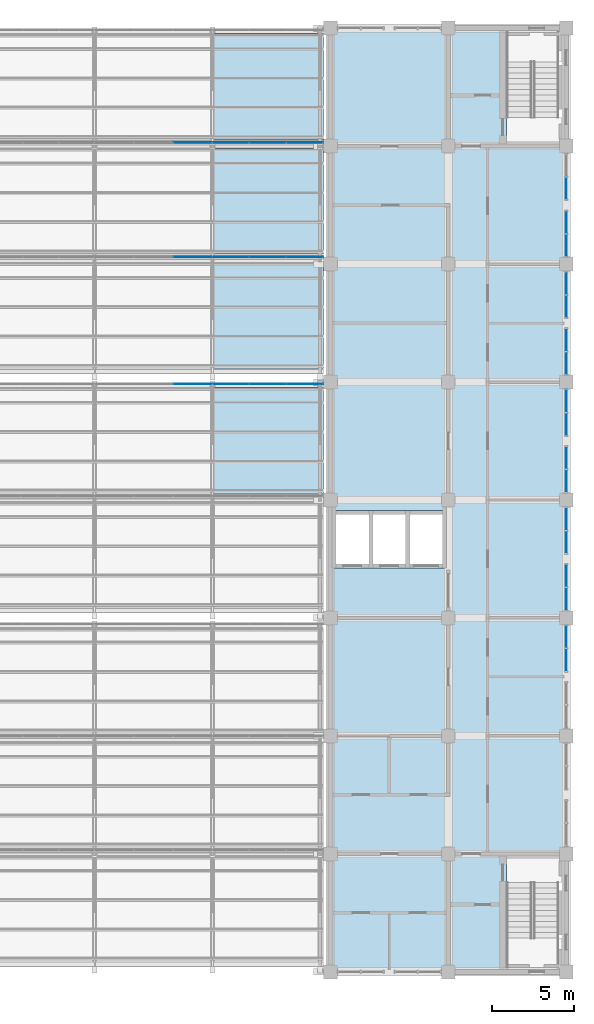
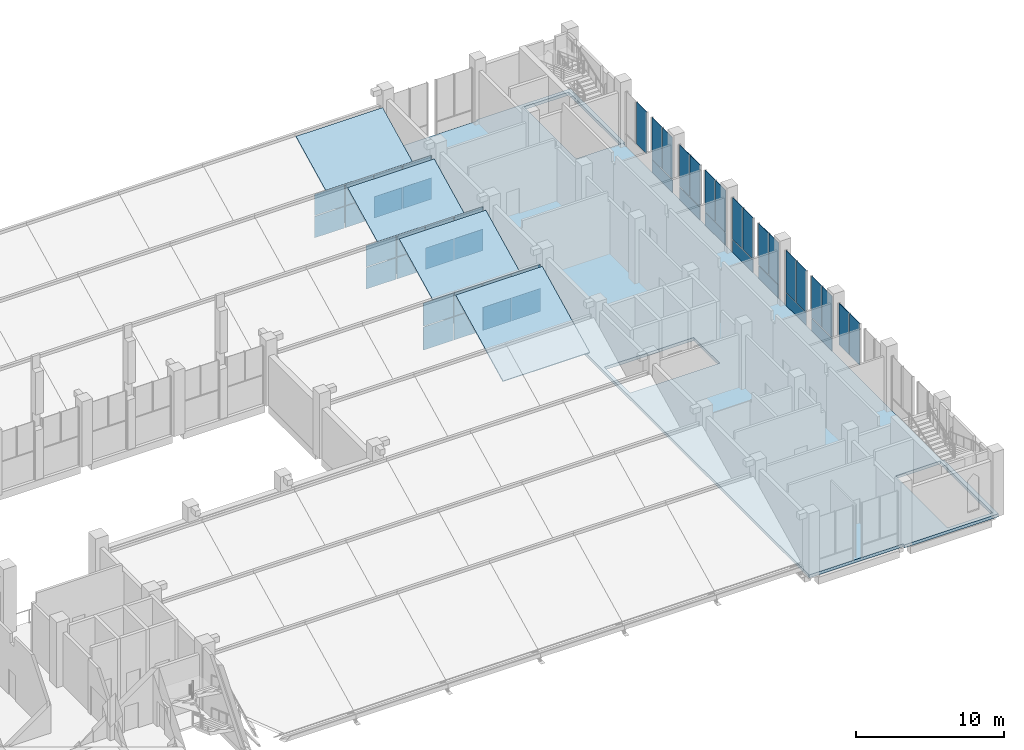
# One storey, part 67 of 83: 48 plates, 5 slabs, 15 elements without a shape of their own.
"""IFC4 building model written with IfcOpenShell, lengths in metres."""

from ifc_helpers import new_model, si_unit, direction, frame, origin, origin_2d, place, context, subcontext, project, spatial, polyline, rectangle, outline, extrude, material, layer, layer_set, type_object, element, aggregate, save


model = new_model("IFC4")

# Units and contexts
model_context = context("Model", 3, precision=1e-05, world=origin(), true_north=direction((0.0, 1.0)))
body_context = subcontext(model_context, "Body", "Model", "MODEL_VIEW")
ifc_project = project(units=[si_unit("LENGTHUNIT", "METRE"), si_unit("AREAUNIT", "SQUARE_METRE"), si_unit("VOLUMEUNIT", "CUBIC_METRE"), si_unit("PLANEANGLEUNIT", "RADIAN"), si_unit("MASSUNIT", "GRAM", prefix="KILO")], contexts=[model_context])

# Site, building, storey
site_placement = place(None, origin())
site = spatial("IfcSite", under=ifc_project, at=site_placement, CompositionType="ELEMENT")
building_placement = place(site_placement, origin())
building = spatial("IfcBuilding", under=site, at=building_placement, Name="Silangan Lancet Faculty of Sciences", CompositionType="ELEMENT")
storey_placement = place(building_placement, frame((0.0, 0.0, 11.39990234375)))
storey = spatial("IfcBuildingStorey", under=building, at=storey_placement, Name="L02", CompositionType="ELEMENT", Elevation=11.39990234375)

# Curtain wall, plates
ifc_material_1 = material(Name="Aluminium framed curtain wall with insulated glass", Category="aluminium")
curtain_wall_type_1 = type_object("IfcCurtainWallType", Name="CW1 Commons and east block glazing", PredefinedType="NOTDEFINED", material=ifc_material_1)
curtain_wall_1_placement = place(storey_placement, origin())
curtain_wall_1 = element("IfcCurtainWall", 1, at=curtain_wall_1_placement, inside=storey, type_object=curtain_wall_type_1, Name="CW1 East commons L02 bay 4", PredefinedType="NOTDEFINED")
ifc_material_2 = material(Name="Insulated glass unit 8+16+8 low-emissivity", Category="glass")
ifc_layer_1 = layer(ifc_material_2, 0.031982421875)
ifc_layer_set_1 = layer_set([ifc_layer_1], Name="Insulated glass unit 8+16+8 low-emissivity")
plate_type_1 = type_object("IfcPlateType", Name="CP1 Panel vision glass 32", PredefinedType="CURTAIN_PANEL", material=ifc_layer_set_1)
plate_1_placement = place(storey_placement, frame((86.39990234375, 19.03369140625, 1.10009765625), z_axis=(0.0, 0.0, 1.0), x_axis=(0.0, 1.0, 0.0)))
plate_1 = element("IfcPlate", 2, at=plate_1_placement, type_object=plate_type_1, Name="CW1 East commons L02 bay 4 panel 2", PredefinedType="CURTAIN_PANEL", context=body_context, shape_type="SweptSolid", body=[
    extrude(rectangle(XDim=1.347412109375, YDim=0.031982421875, at=origin_2d()), origin(), (0.0, 0.0, 1.0), 3.449951171875),
])
plate_2_placement = place(storey_placement, frame((86.39990234375, 20.441162109375, 1.10009765625), z_axis=(0.0, 0.0, 1.0), x_axis=(0.0, 1.0, 0.0)))
plate_2 = element("IfcPlate", 3, at=plate_2_placement, type_object=plate_type_1, Name="CW1 East commons L02 bay 4 panel 3", PredefinedType="CURTAIN_PANEL", context=body_context, shape_type="SweptSolid", body=[
    extrude(rectangle(XDim=1.347412109375, YDim=0.031982421875, at=origin_2d()), origin(), (0.0, 0.0, 1.0), 3.449951171875),
])
aggregate(curtain_wall_1, [plate_1, plate_2])

curtain_wall_2_placement = place(storey_placement, origin())
curtain_wall_2 = element("IfcCurtainWall", 4, at=curtain_wall_2_placement, inside=storey, type_object=curtain_wall_type_1, Name="CW1 East commons L02 bay 5", PredefinedType="NOTDEFINED")
plate_3_placement = place(storey_placement, frame((86.39990234375, 22.7587890625, 1.10009765625), z_axis=(0.0, 0.0, 1.0), x_axis=(0.0, 1.0, 0.0)))
plate_3 = element("IfcPlate", 5, at=plate_3_placement, type_object=plate_type_1, Name="CW1 East commons L02 bay 5 panel 2", PredefinedType="CURTAIN_PANEL", context=body_context, shape_type="SweptSolid", body=[
    extrude(rectangle(XDim=1.347412109375, YDim=0.031982421875, at=origin_2d()), origin(), (0.0, 0.0, 1.0), 3.449951171875),
])
plate_4_placement = place(storey_placement, frame((86.39990234375, 24.166259765625, 1.10009765625), z_axis=(0.0, 0.0, 1.0), x_axis=(0.0, 1.0, 0.0)))
plate_4 = element("IfcPlate", 6, at=plate_4_placement, type_object=plate_type_1, Name="CW1 East commons L02 bay 5 panel 3", PredefinedType="CURTAIN_PANEL", context=body_context, shape_type="SweptSolid", body=[
    extrude(rectangle(XDim=1.347412109375, YDim=0.031982421875, at=origin_2d()), origin(), (0.0, 0.0, 1.0), 3.449951171875),
])

curtain_wall_3_placement = place(storey_placement, origin())
curtain_wall_3 = element("IfcCurtainWall", 7, at=curtain_wall_3_placement, inside=storey, type_object=curtain_wall_type_1, Name="CW1 East commons L02 bay 6", PredefinedType="NOTDEFINED")
plate_5_placement = place(storey_placement, frame((86.39990234375, 26.233642578125, 1.10009765625), z_axis=(0.0, 0.0, 1.0), x_axis=(0.0, 1.0, 0.0)))
plate_5 = element("IfcPlate", 8, at=plate_5_placement, type_object=plate_type_1, Name="CW1 East commons L02 bay 6 panel 2", PredefinedType="CURTAIN_PANEL", context=body_context, shape_type="SweptSolid", body=[
    extrude(rectangle(XDim=1.347412109375, YDim=0.031982421875, at=origin_2d()), origin(), (0.0, 0.0, 1.0), 3.449951171875),
])
plate_6_placement = place(storey_placement, frame((86.39990234375, 27.641357421875, 1.10009765625), z_axis=(0.0, 0.0, 1.0), x_axis=(0.0, 1.0, 0.0)))
plate_6 = element("IfcPlate", 9, at=plate_6_placement, type_object=plate_type_1, Name="CW1 East commons L02 bay 6 panel 3", PredefinedType="CURTAIN_PANEL", context=body_context, shape_type="SweptSolid", body=[
    extrude(rectangle(XDim=1.347412109375, YDim=0.031982421875, at=origin_2d()), origin(), (0.0, 0.0, 1.0), 3.449951171875),
])

curtain_wall_4_placement = place(storey_placement, origin())
curtain_wall_4 = element("IfcCurtainWall", 10, at=curtain_wall_4_placement, inside=storey, type_object=curtain_wall_type_1, Name="CW1 East commons L02 bay 7", PredefinedType="NOTDEFINED")
plate_7_placement = place(storey_placement, frame((86.39990234375, 29.958740234375, 1.10009765625), z_axis=(0.0, 0.0, 1.0), x_axis=(0.0, 1.0, 0.0)))
plate_7 = element("IfcPlate", 11, at=plate_7_placement, type_object=plate_type_1, Name="CW1 East commons L02 bay 7 panel 2", PredefinedType="CURTAIN_PANEL", context=body_context, shape_type="SweptSolid", body=[
    extrude(rectangle(XDim=1.347412109375, YDim=0.031982421875, at=origin_2d()), origin(), (0.0, 0.0, 1.0), 3.449951171875),
])
plate_8_placement = place(storey_placement, frame((86.39990234375, 31.3662109375, 1.10009765625), z_axis=(0.0, 0.0, 1.0), x_axis=(0.0, 1.0, 0.0)))
plate_8 = element("IfcPlate", 12, at=plate_8_placement, type_object=plate_type_1, Name="CW1 East commons L02 bay 7 panel 3", PredefinedType="CURTAIN_PANEL", context=body_context, shape_type="SweptSolid", body=[
    extrude(rectangle(XDim=1.347412109375, YDim=0.031982421875, at=origin_2d()), origin(), (0.0, 0.0, 1.0), 3.449951171875),
])

curtain_wall_5_placement = place(storey_placement, origin())
curtain_wall_5 = element("IfcCurtainWall", 13, at=curtain_wall_5_placement, inside=storey, type_object=curtain_wall_type_1, Name="CW1 East commons L02 bay 8", PredefinedType="NOTDEFINED")
plate_9_placement = place(storey_placement, frame((86.39990234375, 33.43359375, 1.10009765625), z_axis=(0.0, 0.0, 1.0), x_axis=(0.0, 1.0, 0.0)))
plate_9 = element("IfcPlate", 14, at=plate_9_placement, type_object=plate_type_1, Name="CW1 East commons L02 bay 8 panel 2", PredefinedType="CURTAIN_PANEL", context=body_context, shape_type="SweptSolid", body=[
    extrude(rectangle(XDim=1.34765625, YDim=0.031982421875, at=origin_2d()), origin(), (0.0, 0.0, 1.0), 3.449951171875),
])
plate_10_placement = place(storey_placement, frame((86.39990234375, 34.84130859375, 1.10009765625), z_axis=(0.0, 0.0, 1.0), x_axis=(0.0, 1.0, 0.0)))
plate_10 = element("IfcPlate", 15, at=plate_10_placement, type_object=plate_type_1, Name="CW1 East commons L02 bay 8 panel 3", PredefinedType="CURTAIN_PANEL", context=body_context, shape_type="SweptSolid", body=[
    extrude(rectangle(XDim=1.34765625, YDim=0.031982421875, at=origin_2d()), origin(), (0.0, 0.0, 1.0), 3.449951171875),
])

curtain_wall_6_placement = place(storey_placement, origin())
curtain_wall_6 = element("IfcCurtainWall", 16, at=curtain_wall_6_placement, inside=storey, type_object=curtain_wall_type_1, Name="CW1 East commons L02 bay 9", PredefinedType="NOTDEFINED")
plate_11_placement = place(storey_placement, frame((86.39990234375, 37.15869140625, 1.10009765625), z_axis=(0.0, 0.0, 1.0), x_axis=(0.0, 1.0, 0.0)))
plate_11 = element("IfcPlate", 17, at=plate_11_placement, type_object=plate_type_1, Name="CW1 East commons L02 bay 9 panel 2", PredefinedType="CURTAIN_PANEL", context=body_context, shape_type="SweptSolid", body=[
    extrude(rectangle(XDim=1.34765625, YDim=0.031982421875, at=origin_2d()), origin(), (0.0, 0.0, 1.0), 3.449951171875),
])
plate_12_placement = place(storey_placement, frame((86.39990234375, 38.56640625, 1.10009765625), z_axis=(0.0, 0.0, 1.0), x_axis=(0.0, 1.0, 0.0)))
plate_12 = element("IfcPlate", 18, at=plate_12_placement, type_object=plate_type_1, Name="CW1 East commons L02 bay 9 panel 3", PredefinedType="CURTAIN_PANEL", context=body_context, shape_type="SweptSolid", body=[
    extrude(rectangle(XDim=1.34765625, YDim=0.031982421875, at=origin_2d()), origin(), (0.0, 0.0, 1.0), 3.449951171875),
])

curtain_wall_7_placement = place(storey_placement, origin())
curtain_wall_7 = element("IfcCurtainWall", 19, at=curtain_wall_7_placement, inside=storey, type_object=curtain_wall_type_1, Name="CW1 East commons L02 bay 10", PredefinedType="NOTDEFINED")
plate_13_placement = place(storey_placement, frame((86.39990234375, 40.6337890625, 1.10009765625), z_axis=(0.0, 0.0, 1.0), x_axis=(0.0, 1.0, 0.0)))
plate_13 = element("IfcPlate", 20, at=plate_13_placement, type_object=plate_type_1, Name="CW1 East commons L02 bay 10 panel 2", PredefinedType="CURTAIN_PANEL", context=body_context, shape_type="SweptSolid", body=[
    extrude(rectangle(XDim=1.347412109375, YDim=0.031982421875, at=origin_2d()), origin(), (0.0, 0.0, 1.0), 3.449951171875),
])
plate_14_placement = place(storey_placement, frame((86.39990234375, 42.041259765625, 1.10009765625), z_axis=(0.0, 0.0, 1.0), x_axis=(0.0, 1.0, 0.0)))
plate_14 = element("IfcPlate", 21, at=plate_14_placement, type_object=plate_type_1, Name="CW1 East commons L02 bay 10 panel 3", PredefinedType="CURTAIN_PANEL", context=body_context, shape_type="SweptSolid", body=[
    extrude(rectangle(XDim=1.347412109375, YDim=0.031982421875, at=origin_2d()), origin(), (0.0, 0.0, 1.0), 3.449951171875),
])

curtain_wall_8_placement = place(storey_placement, origin())
curtain_wall_8 = element("IfcCurtainWall", 22, at=curtain_wall_8_placement, inside=storey, type_object=curtain_wall_type_1, Name="CW1 East commons L02 bay 11", PredefinedType="NOTDEFINED")
plate_15_placement = place(storey_placement, frame((86.39990234375, 44.358642578125, 1.10009765625), z_axis=(0.0, 0.0, 1.0), x_axis=(0.0, 1.0, 0.0)))
plate_15 = element("IfcPlate", 23, at=plate_15_placement, type_object=plate_type_1, Name="CW1 East commons L02 bay 11 panel 2", PredefinedType="CURTAIN_PANEL", context=body_context, shape_type="SweptSolid", body=[
    extrude(rectangle(XDim=1.347412109375, YDim=0.031982421875, at=origin_2d()), origin(), (0.0, 0.0, 1.0), 3.449951171875),
])
plate_16_placement = place(storey_placement, frame((86.39990234375, 45.766357421875, 1.10009765625), z_axis=(0.0, 0.0, 1.0), x_axis=(0.0, 1.0, 0.0)))
plate_16 = element("IfcPlate", 24, at=plate_16_placement, type_object=plate_type_1, Name="CW1 East commons L02 bay 11 panel 3", PredefinedType="CURTAIN_PANEL", context=body_context, shape_type="SweptSolid", body=[
    extrude(rectangle(XDim=1.347412109375, YDim=0.031982421875, at=origin_2d()), origin(), (0.0, 0.0, 1.0), 3.449951171875),
])

# Curtain wall, plate
curtain_wall_9_placement = place(storey_placement, origin())
curtain_wall_9 = element("IfcCurtainWall", 25, at=curtain_wall_9_placement, inside=storey, type_object=curtain_wall_type_1, Name="CW1 East commons L02 bay 12", PredefinedType="NOTDEFINED")
plate_17_placement = place(storey_placement, frame((86.39990234375, 47.833740234375, 1.10009765625), z_axis=(0.0, 0.0, 1.0), x_axis=(0.0, 1.0, 0.0)))
plate_17 = element("IfcPlate", 26, at=plate_17_placement, type_object=plate_type_1, Name="CW1 East commons L02 bay 12 panel 2", PredefinedType="CURTAIN_PANEL", context=body_context, shape_type="SweptSolid", body=[
    extrude(rectangle(XDim=1.347412109375, YDim=0.031982421875, at=origin_2d()), origin(), (0.0, 0.0, 1.0), 3.449951171875),
])
aggregate(curtain_wall_9, [plate_17])

# Plate
ifc_material_3 = material(Name="Laminated insulated glass unit 10.76+14+8", Category="glass")
ifc_layer_2 = layer(ifc_material_3, 0.035888671875)
ifc_layer_set_2 = layer_set([ifc_layer_2], Name="Laminated insulated glass unit 10.76+14+8")
plate_type_2 = type_object("IfcPlateType", Name="CP2 Panel laminated glass 36", PredefinedType="CURTAIN_PANEL", material=ifc_layer_set_2)
plate_18_placement = place(storey_placement, frame((86.39990234375, 23.46240234375, 0.0), z_axis=(0.0, 0.0, 1.0), x_axis=(0.0, 1.0, 0.0)))
plate_18 = element("IfcPlate", 27, at=plate_18_placement, type_object=plate_type_2, Name="CW1 East commons L02 bay 5 panel 1", PredefinedType="CURTAIN_PANEL", context=body_context, shape_type="SweptSolid", body=[
    extrude(rectangle(XDim=2.7548828125, YDim=0.035888671875, at=origin_2d()), origin(), (0.0, 0.0, 1.0), 1.0400390625),
])

aggregate(curtain_wall_2, [plate_18, plate_3, plate_4])

plate_19_placement = place(storey_placement, frame((86.39990234375, 26.9375, 0.0), z_axis=(0.0, 0.0, 1.0), x_axis=(0.0, 1.0, 0.0)))
plate_19 = element("IfcPlate", 28, at=plate_19_placement, type_object=plate_type_2, Name="CW1 East commons L02 bay 6 panel 1", PredefinedType="CURTAIN_PANEL", context=body_context, shape_type="SweptSolid", body=[
    extrude(rectangle(XDim=2.7548828125, YDim=0.035888671875, at=origin_2d()), origin(), (0.0, 0.0, 1.0), 1.0400390625),
])

aggregate(curtain_wall_3, [plate_19, plate_5, plate_6])

plate_20_placement = place(storey_placement, frame((86.39990234375, 30.662353515625, 0.0), z_axis=(0.0, 0.0, 1.0), x_axis=(0.0, 1.0, 0.0)))
plate_20 = element("IfcPlate", 29, at=plate_20_placement, type_object=plate_type_2, Name="CW1 East commons L02 bay 7 panel 1", PredefinedType="CURTAIN_PANEL", context=body_context, shape_type="SweptSolid", body=[
    extrude(rectangle(XDim=2.7548828125, YDim=0.035888671875, at=origin_2d()), origin(), (0.0, 0.0, 1.0), 1.0400390625),
])

aggregate(curtain_wall_4, [plate_20, plate_7, plate_8])

plate_21_placement = place(storey_placement, frame((86.39990234375, 34.137451171875, 0.0), z_axis=(0.0, 0.0, 1.0), x_axis=(0.0, 1.0, 0.0)))
plate_21 = element("IfcPlate", 30, at=plate_21_placement, type_object=plate_type_2, Name="CW1 East commons L02 bay 8 panel 1", PredefinedType="CURTAIN_PANEL", context=body_context, shape_type="SweptSolid", body=[
    extrude(rectangle(XDim=2.755126953125, YDim=0.035888671875, at=origin_2d()), origin(), (0.0, 0.0, 1.0), 1.0400390625),
])

aggregate(curtain_wall_5, [plate_21, plate_9, plate_10])

plate_22_placement = place(storey_placement, frame((86.39990234375, 37.862548828125, 0.0), z_axis=(0.0, 0.0, 1.0), x_axis=(0.0, 1.0, 0.0)))
plate_22 = element("IfcPlate", 31, at=plate_22_placement, type_object=plate_type_2, Name="CW1 East commons L02 bay 9 panel 1", PredefinedType="CURTAIN_PANEL", context=body_context, shape_type="SweptSolid", body=[
    extrude(rectangle(XDim=2.755126953125, YDim=0.035888671875, at=origin_2d()), origin(), (0.0, 0.0, 1.0), 1.0400390625),
])

aggregate(curtain_wall_6, [plate_22, plate_11, plate_12])

plate_23_placement = place(storey_placement, frame((86.39990234375, 41.337646484375, 0.0), z_axis=(0.0, 0.0, 1.0), x_axis=(0.0, 1.0, 0.0)))
plate_23 = element("IfcPlate", 32, at=plate_23_placement, type_object=plate_type_2, Name="CW1 East commons L02 bay 10 panel 1", PredefinedType="CURTAIN_PANEL", context=body_context, shape_type="SweptSolid", body=[
    extrude(rectangle(XDim=2.7548828125, YDim=0.035888671875, at=origin_2d()), origin(), (0.0, 0.0, 1.0), 1.0400390625),
])

aggregate(curtain_wall_7, [plate_23, plate_13, plate_14])

plate_24_placement = place(storey_placement, frame((86.39990234375, 45.0625, 0.0), z_axis=(0.0, 0.0, 1.0), x_axis=(0.0, 1.0, 0.0)))
plate_24 = element("IfcPlate", 33, at=plate_24_placement, type_object=plate_type_2, Name="CW1 East commons L02 bay 11 panel 1", PredefinedType="CURTAIN_PANEL", context=body_context, shape_type="SweptSolid", body=[
    extrude(rectangle(XDim=2.7548828125, YDim=0.035888671875, at=origin_2d()), origin(), (0.0, 0.0, 1.0), 1.0400390625),
])

aggregate(curtain_wall_8, [plate_24, plate_15, plate_16])

# Curtain wall, plates
ifc_material_4 = material(Name="Aluminium and laminated glass", Category="aluminium")
curtain_wall_type_2 = type_object("IfcCurtainWallType", Name="North light glazing system", PredefinedType="NOTDEFINED", material=ifc_material_4)
curtain_wall_10_placement = place(storey_placement, origin())
curtain_wall_10 = element("IfcCurtainWall", 34, at=curtain_wall_10_placement, inside=storey, type_object=curtain_wall_type_2, Name="North light glazing NAB-1-6", PredefinedType="NOTDEFINED")
ifc_material_5 = material(Name="Laminated glass 12 + 12", Category="glass")
ifc_layer_3 = layer(ifc_material_5, 0.02392578125)
ifc_layer_set_3 = layer_set([ifc_layer_3], Name="Laminated glass 12 + 12")
plate_type_3 = type_object("IfcPlateType", Name="North light glass panel 2188x1773", PredefinedType="CURTAIN_PANEL", material=ifc_layer_set_3)
plate_25_placement = place(storey_placement, frame((64.830078125, 43.61962890625, 0.4423828125), z_axis=(0.0, -1.0, 0.0), x_axis=(1.0, 0.0, 0.0)))
plate_25 = element("IfcPlate", 35, at=plate_25_placement, type_object=plate_type_3, Name="North light glass NAB-1-6 1-1", PredefinedType="CURTAIN_PANEL", context=body_context, shape_type="SweptSolid", body=[
    extrude(outline(polyline([(0.0, 0.0), (2.188232421875, 0.0), (2.188232421875, 1.77294921875), (0.0, 1.77294921875), (0.0, 0.0)])), origin(), (0.0, 0.0, -1.0), 0.02392578125),
])
plate_26_placement = place(storey_placement, frame((64.830078125, 43.61962890625, 2.275390625), z_axis=(0.0, -1.0, 0.0), x_axis=(1.0, 0.0, 0.0)))
plate_26 = element("IfcPlate", 36, at=plate_26_placement, type_object=plate_type_3, Name="North light glass NAB-1-6 2-1", PredefinedType="CURTAIN_PANEL", context=body_context, shape_type="SweptSolid", body=[
    extrude(outline(polyline([(0.0, 0.0), (2.188232421875, 0.0), (2.188232421875, 1.77294921875), (0.0, 1.77294921875), (0.0, 0.0)])), origin(), (0.0, 0.0, -1.0), 0.02392578125),
])
plate_27_placement = place(storey_placement, frame((67.078369140625, 43.61962890625, 0.4423828125), z_axis=(0.0, -1.0, 0.0), x_axis=(1.0, 0.0, 0.0)))
plate_27 = element("IfcPlate", 37, at=plate_27_placement, type_object=plate_type_3, Name="North light glass NAB-1-6 1-2", PredefinedType="CURTAIN_PANEL", context=body_context, shape_type="SweptSolid", body=[
    extrude(outline(polyline([(0.0, 0.0), (2.188232421875, 0.0), (2.188232421875, 1.77294921875), (0.0, 1.77294921875), (0.0, 0.0)])), origin(), (0.0, 0.0, -1.0), 0.02392578125),
])
plate_28_placement = place(storey_placement, frame((67.078369140625, 43.61962890625, 2.275390625), z_axis=(0.0, -1.0, 0.0), x_axis=(1.0, 0.0, 0.0)))
plate_28 = element("IfcPlate", 38, at=plate_28_placement, type_object=plate_type_3, Name="North light glass NAB-1-6 2-2", PredefinedType="CURTAIN_PANEL", context=body_context, shape_type="SweptSolid", body=[
    extrude(outline(polyline([(0.0, 0.0), (2.188232421875, 0.0), (2.188232421875, 1.77294921875), (0.0, 1.77294921875), (0.0, 0.0)])), origin(), (0.0, 0.0, -1.0), 0.02392578125),
])

curtain_wall_11_placement = place(storey_placement, origin())
curtain_wall_11 = element("IfcCurtainWall", 39, at=curtain_wall_11_placement, inside=storey, type_object=curtain_wall_type_2, Name="North light glazing NAB-2-6", PredefinedType="NOTDEFINED")
plate_29_placement = place(storey_placement, frame((64.830078125, 50.601318359375, 0.4423828125), z_axis=(0.0, -1.0, 0.0), x_axis=(1.0, 0.0, 0.0)))
plate_29 = element("IfcPlate", 40, at=plate_29_placement, type_object=plate_type_3, Name="North light glass NAB-2-6 1-1", PredefinedType="CURTAIN_PANEL", context=body_context, shape_type="SweptSolid", body=[
    extrude(outline(polyline([(0.0, 0.0), (2.188232421875, 0.0), (2.188232421875, 1.77294921875), (0.0, 1.77294921875), (0.0, 0.0)])), origin(), (0.0, 0.0, -1.0), 0.02392578125),
])
plate_30_placement = place(storey_placement, frame((64.830078125, 50.601318359375, 2.275390625), z_axis=(0.0, -1.0, 0.0), x_axis=(1.0, 0.0, 0.0)))
plate_30 = element("IfcPlate", 41, at=plate_30_placement, type_object=plate_type_3, Name="North light glass NAB-2-6 2-1", PredefinedType="CURTAIN_PANEL", context=body_context, shape_type="SweptSolid", body=[
    extrude(outline(polyline([(0.0, 0.0), (2.188232421875, 0.0), (2.188232421875, 1.77294921875), (0.0, 1.77294921875), (0.0, 0.0)])), origin(), (0.0, 0.0, -1.0), 0.02392578125),
])
plate_31_placement = place(storey_placement, frame((67.078369140625, 50.601318359375, 0.4423828125), z_axis=(0.0, -1.0, 0.0), x_axis=(1.0, 0.0, 0.0)))
plate_31 = element("IfcPlate", 42, at=plate_31_placement, type_object=plate_type_3, Name="North light glass NAB-2-6 1-2", PredefinedType="CURTAIN_PANEL", context=body_context, shape_type="SweptSolid", body=[
    extrude(outline(polyline([(0.0, 0.0), (2.188232421875, 0.0), (2.188232421875, 1.77294921875), (0.0, 1.77294921875), (0.0, 0.0)])), origin(), (0.0, 0.0, -1.0), 0.02392578125),
])
plate_32_placement = place(storey_placement, frame((67.078369140625, 50.601318359375, 2.275390625), z_axis=(0.0, -1.0, 0.0), x_axis=(1.0, 0.0, 0.0)))
plate_32 = element("IfcPlate", 43, at=plate_32_placement, type_object=plate_type_3, Name="North light glass NAB-2-6 2-2", PredefinedType="CURTAIN_PANEL", context=body_context, shape_type="SweptSolid", body=[
    extrude(outline(polyline([(0.0, 0.0), (2.188232421875, 0.0), (2.188232421875, 1.77294921875), (0.0, 1.77294921875), (0.0, 0.0)])), origin(), (0.0, 0.0, -1.0), 0.02392578125),
])

curtain_wall_12_placement = place(storey_placement, origin())
curtain_wall_12 = element("IfcCurtainWall", 44, at=curtain_wall_12_placement, inside=storey, type_object=curtain_wall_type_2, Name="North light glazing AUD-2-3", PredefinedType="NOTDEFINED")
ifc_material_6 = material(Name="Laminated glass 12 + 12", Category="glass")
ifc_layer_4 = layer(ifc_material_6, 0.02392578125)
ifc_layer_set_4 = layer_set([ifc_layer_4], Name="Laminated glass 12 + 12")
plate_type_4 = type_object("IfcPlateType", Name="North light glass panel 2188x1914", PredefinedType="CURTAIN_PANEL", material=ifc_layer_set_4)
plate_33_placement = place(storey_placement, frame((64.830078125, 35.873046875, 0.10009765625), z_axis=(0.0, -1.0, 0.0), x_axis=(1.0, 0.0, 0.0)))
plate_33 = element("IfcPlate", 45, at=plate_33_placement, type_object=plate_type_4, Name="North light glass AUD-2-3 1-1", PredefinedType="CURTAIN_PANEL", context=body_context, shape_type="SweptSolid", body=[
    extrude(outline(polyline([(0.0, 0.0), (2.188232421875, 0.0), (2.188232421875, 1.9140625), (0.0, 1.9140625), (0.0, 0.0)])), origin(), (0.0, 0.0, -1.0), 0.02392578125),
])
plate_34_placement = place(storey_placement, frame((64.830078125, 35.873046875, 2.07421875), z_axis=(0.0, -1.0, 0.0), x_axis=(1.0, 0.0, 0.0)))
plate_34 = element("IfcPlate", 46, at=plate_34_placement, type_object=plate_type_4, Name="North light glass AUD-2-3 2-1", PredefinedType="CURTAIN_PANEL", context=body_context, shape_type="SweptSolid", body=[
    extrude(outline(polyline([(0.0, 0.0), (2.188232421875, 0.0), (2.188232421875, 1.913818359375), (0.0, 1.913818359375), (0.0, 0.0)])), origin(), (0.0, 0.0, -1.0), 0.02392578125),
])
plate_35_placement = place(storey_placement, frame((67.078369140625, 35.873046875, 0.10009765625), z_axis=(0.0, -1.0, 0.0), x_axis=(1.0, 0.0, 0.0)))
plate_35 = element("IfcPlate", 47, at=plate_35_placement, type_object=plate_type_4, Name="North light glass AUD-2-3 1-2", PredefinedType="CURTAIN_PANEL", context=body_context, shape_type="SweptSolid", body=[
    extrude(outline(polyline([(0.0, 0.0), (2.188232421875, 0.0), (2.188232421875, 1.9140625), (0.0, 1.9140625), (0.0, 0.0)])), origin(), (0.0, 0.0, -1.0), 0.02392578125),
])
plate_36_placement = place(storey_placement, frame((67.078369140625, 35.873046875, 2.07421875), z_axis=(0.0, -1.0, 0.0), x_axis=(1.0, 0.0, 0.0)))
plate_36 = element("IfcPlate", 48, at=plate_36_placement, type_object=plate_type_4, Name="North light glass AUD-2-3 2-2", PredefinedType="CURTAIN_PANEL", context=body_context, shape_type="SweptSolid", body=[
    extrude(outline(polyline([(0.0, 0.0), (2.188232421875, 0.0), (2.188232421875, 1.913818359375), (0.0, 1.913818359375), (0.0, 0.0)])), origin(), (0.0, 0.0, -1.0), 0.02392578125),
])

# Plate
ifc_material_7 = material(Name="Laminated glass 12 + 12", Category="glass")
ifc_layer_5 = layer(ifc_material_7, 0.02392578125)
ifc_layer_set_5 = layer_set([ifc_layer_5], Name="Laminated glass 12 + 12")
plate_type_5 = type_object("IfcPlateType", Name="North light glass panel 2248x1773", PredefinedType="CURTAIN_PANEL", material=ifc_layer_set_5)
plate_37_placement = place(storey_placement, frame((69.32666015625, 43.61962890625, 0.4423828125), z_axis=(0.0, -1.0, 0.0), x_axis=(1.0, 0.0, 0.0)))
plate_37 = element("IfcPlate", 49, at=plate_37_placement, type_object=plate_type_5, Name="North light glass NAB-1-6 1-3", PredefinedType="CURTAIN_PANEL", context=body_context, shape_type="SweptSolid", body=[
    extrude(outline(polyline([(0.0, 0.0), (2.248291015625, 0.0), (2.248291015625, 1.77294921875), (0.0, 1.77294921875), (0.0, 0.0)])), origin(), (0.0, 0.0, -1.0), 0.02392578125),
])

plate_38_placement = place(storey_placement, frame((69.32666015625, 43.61962890625, 2.275390625), z_axis=(0.0, -1.0, 0.0), x_axis=(1.0, 0.0, 0.0)))
plate_38 = element("IfcPlate", 50, at=plate_38_placement, type_object=plate_type_5, Name="North light glass NAB-1-6 2-3", PredefinedType="CURTAIN_PANEL", context=body_context, shape_type="SweptSolid", body=[
    extrude(outline(polyline([(0.0, 0.0), (2.248291015625, 0.0), (2.248291015625, 1.77294921875), (0.0, 1.77294921875), (0.0, 0.0)])), origin(), (0.0, 0.0, -1.0), 0.02392578125),
])

aggregate(curtain_wall_10, [plate_25, plate_26, plate_27, plate_28, plate_37, plate_38])

plate_39_placement = place(storey_placement, frame((69.32666015625, 50.601318359375, 0.4423828125), z_axis=(0.0, -1.0, 0.0), x_axis=(1.0, 0.0, 0.0)))
plate_39 = element("IfcPlate", 51, at=plate_39_placement, type_object=plate_type_5, Name="North light glass NAB-2-6 1-3", PredefinedType="CURTAIN_PANEL", context=body_context, shape_type="SweptSolid", body=[
    extrude(outline(polyline([(0.0, 0.0), (2.248291015625, 0.0), (2.248291015625, 1.77294921875), (0.0, 1.77294921875), (0.0, 0.0)])), origin(), (0.0, 0.0, -1.0), 0.02392578125),
])

plate_40_placement = place(storey_placement, frame((69.32666015625, 50.601318359375, 2.275390625), z_axis=(0.0, -1.0, 0.0), x_axis=(1.0, 0.0, 0.0)))
plate_40 = element("IfcPlate", 52, at=plate_40_placement, type_object=plate_type_5, Name="North light glass NAB-2-6 2-3", PredefinedType="CURTAIN_PANEL", context=body_context, shape_type="SweptSolid", body=[
    extrude(outline(polyline([(0.0, 0.0), (2.248291015625, 0.0), (2.248291015625, 1.77294921875), (0.0, 1.77294921875), (0.0, 0.0)])), origin(), (0.0, 0.0, -1.0), 0.02392578125),
])

aggregate(curtain_wall_11, [plate_29, plate_30, plate_31, plate_32, plate_39, plate_40])

ifc_material_8 = material(Name="Laminated glass 12 + 12", Category="glass")
ifc_layer_6 = layer(ifc_material_8, 0.02392578125)
ifc_layer_set_6 = layer_set([ifc_layer_6], Name="Laminated glass 12 + 12")
plate_type_6 = type_object("IfcPlateType", Name="North light glass panel 2248x1914", PredefinedType="CURTAIN_PANEL", material=ifc_layer_set_6)
plate_41_placement = place(storey_placement, frame((69.32666015625, 35.873046875, 0.10009765625), z_axis=(0.0, -1.0, 0.0), x_axis=(1.0, 0.0, 0.0)))
plate_41 = element("IfcPlate", 53, at=plate_41_placement, type_object=plate_type_6, Name="North light glass AUD-2-3 1-3", PredefinedType="CURTAIN_PANEL", context=body_context, shape_type="SweptSolid", body=[
    extrude(outline(polyline([(0.0, 0.0), (2.248291015625, 0.0), (2.248291015625, 1.9140625), (0.0, 1.9140625), (0.0, 0.0)])), origin(), (0.0, 0.0, -1.0), 0.02392578125),
])

plate_42_placement = place(storey_placement, frame((69.32666015625, 35.873046875, 2.07421875), z_axis=(0.0, -1.0, 0.0), x_axis=(1.0, 0.0, 0.0)))
plate_42 = element("IfcPlate", 54, at=plate_42_placement, type_object=plate_type_6, Name="North light glass AUD-2-3 2-3", PredefinedType="CURTAIN_PANEL", context=body_context, shape_type="SweptSolid", body=[
    extrude(outline(polyline([(0.0, 0.0), (2.248291015625, 0.0), (2.248291015625, 1.913818359375), (0.0, 1.913818359375), (0.0, 0.0)])), origin(), (0.0, 0.0, -1.0), 0.02392578125),
])

aggregate(curtain_wall_12, [plate_33, plate_34, plate_35, plate_36, plate_41, plate_42])

# Curtain wall, plates
curtain_wall_13_placement = place(storey_placement, origin())
curtain_wall_13 = element("IfcCurtainWall", 55, at=curtain_wall_13_placement, inside=storey, type_object=curtain_wall_type_2, Name="North light glazing NAB-1-5", PredefinedType="NOTDEFINED")
ifc_material_9 = material(Name="Laminated glass 12 + 12", Category="glass")
ifc_layer_7 = layer(ifc_material_9, 0.02392578125)
ifc_layer_set_7 = layer_set([ifc_layer_7], Name="Laminated glass 12 + 12")
plate_type_7 = type_object("IfcPlateType", Name="North light glass panel 2340x1773", PredefinedType="CURTAIN_PANEL", material=ifc_layer_set_7)
plate_43_placement = place(storey_placement, frame((62.429931640625, 43.61962890625, 0.4423828125), z_axis=(0.0, -1.0, 0.0), x_axis=(1.0, 0.0, 0.0)))
plate_43 = element("IfcPlate", 56, at=plate_43_placement, type_object=plate_type_7, Name="North light glass NAB-1-5 1-3", PredefinedType="CURTAIN_PANEL", context=body_context, shape_type="SweptSolid", body=[
    extrude(outline(polyline([(0.0, 0.0), (2.340087890625, 0.0), (2.340087890625, 1.77294921875), (0.0, 1.77294921875), (0.0, 0.0)])), origin(), (0.0, 0.0, -1.0), 0.02392578125),
])
plate_44_placement = place(storey_placement, frame((62.429931640625, 43.61962890625, 2.275390625), z_axis=(0.0, -1.0, 0.0), x_axis=(1.0, 0.0, 0.0)))
plate_44 = element("IfcPlate", 57, at=plate_44_placement, type_object=plate_type_7, Name="North light glass NAB-1-5 2-3", PredefinedType="CURTAIN_PANEL", context=body_context, shape_type="SweptSolid", body=[
    extrude(outline(polyline([(0.0, 0.0), (2.340087890625, 0.0), (2.340087890625, 1.77294921875), (0.0, 1.77294921875), (0.0, 0.0)])), origin(), (0.0, 0.0, -1.0), 0.02392578125),
])
aggregate(curtain_wall_13, [plate_43, plate_44])

curtain_wall_14_placement = place(storey_placement, origin())
curtain_wall_14 = element("IfcCurtainWall", 58, at=curtain_wall_14_placement, inside=storey, type_object=curtain_wall_type_2, Name="North light glazing NAB-2-5", PredefinedType="NOTDEFINED")
plate_45_placement = place(storey_placement, frame((62.429931640625, 50.601318359375, 0.4423828125), z_axis=(0.0, -1.0, 0.0), x_axis=(1.0, 0.0, 0.0)))
plate_45 = element("IfcPlate", 59, at=plate_45_placement, type_object=plate_type_7, Name="North light glass NAB-2-5 1-3", PredefinedType="CURTAIN_PANEL", context=body_context, shape_type="SweptSolid", body=[
    extrude(outline(polyline([(0.0, 0.0), (2.340087890625, 0.0), (2.340087890625, 1.77294921875), (0.0, 1.77294921875), (0.0, 0.0)])), origin(), (0.0, 0.0, -1.0), 0.02392578125),
])
plate_46_placement = place(storey_placement, frame((62.429931640625, 50.601318359375, 2.275390625), z_axis=(0.0, -1.0, 0.0), x_axis=(1.0, 0.0, 0.0)))
plate_46 = element("IfcPlate", 60, at=plate_46_placement, type_object=plate_type_7, Name="North light glass NAB-2-5 2-3", PredefinedType="CURTAIN_PANEL", context=body_context, shape_type="SweptSolid", body=[
    extrude(outline(polyline([(0.0, 0.0), (2.340087890625, 0.0), (2.340087890625, 1.77294921875), (0.0, 1.77294921875), (0.0, 0.0)])), origin(), (0.0, 0.0, -1.0), 0.02392578125),
])
aggregate(curtain_wall_14, [plate_45, plate_46])

curtain_wall_15_placement = place(storey_placement, origin())
curtain_wall_15 = element("IfcCurtainWall", 61, at=curtain_wall_15_placement, inside=storey, type_object=curtain_wall_type_2, Name="North light glazing AUD-2-2", PredefinedType="NOTDEFINED")
ifc_material_10 = material(Name="Laminated glass 12 + 12", Category="glass")
ifc_layer_8 = layer(ifc_material_10, 0.02392578125)
ifc_layer_set_8 = layer_set([ifc_layer_8], Name="Laminated glass 12 + 12")
plate_type_8 = type_object("IfcPlateType", Name="North light glass panel 2340x1914", PredefinedType="CURTAIN_PANEL", material=ifc_layer_set_8)
plate_47_placement = place(storey_placement, frame((62.429931640625, 35.873046875, 0.10009765625), z_axis=(0.0, -1.0, 0.0), x_axis=(1.0, 0.0, 0.0)))
plate_47 = element("IfcPlate", 62, at=plate_47_placement, type_object=plate_type_8, Name="North light glass AUD-2-2 1-3", PredefinedType="CURTAIN_PANEL", context=body_context, shape_type="SweptSolid", body=[
    extrude(outline(polyline([(0.0, 0.0), (2.340087890625, 0.0), (2.340087890625, 1.9140625), (0.0, 1.9140625), (0.0, 0.0)])), origin(), (0.0, 0.0, -1.0), 0.02392578125),
])
plate_48_placement = place(storey_placement, frame((62.429931640625, 35.873046875, 2.07421875), z_axis=(0.0, -1.0, 0.0), x_axis=(1.0, 0.0, 0.0)))
plate_48 = element("IfcPlate", 63, at=plate_48_placement, type_object=plate_type_8, Name="North light glass AUD-2-2 2-3", PredefinedType="CURTAIN_PANEL", context=body_context, shape_type="SweptSolid", body=[
    extrude(outline(polyline([(0.0, 0.0), (2.340087890625, 0.0), (2.340087890625, 1.913818359375), (0.0, 1.913818359375), (0.0, 0.0)])), origin(), (0.0, 0.0, -1.0), 0.02392578125),
])
aggregate(curtain_wall_15, [plate_47, plate_48])

# Slabs
ifc_material_11 = material(Name="Insulated cold-formed steel roof sheeting", Category="steel")
ifc_layer_9 = layer(ifc_material_11, 0.10009765625)
ifc_layer_set_9 = layer_set([ifc_layer_9], Name="Insulated cold-formed steel roof sheeting")
slab_type_1 = type_object("IfcSlabType", Name="Roof sheeting panel 100", PredefinedType="ROOF", material=ifc_layer_set_9)
for number, where, z_axis, x_axis, name in (
    (64, (64.800048828125, 36.824951171875, 0.770263671875), (0.0, -0.4472135955, 0.894427191), (1.0, 0.0, 0.0), "Roof sheeting NAB-1-6"),
    (65, (64.800048828125, 43.806640625, 0.770263671875), (0.0, -0.4472135955, 0.894427191), (1.0, 0.0, 0.0), "Roof sheeting NAB-2-6"),
    (66, (64.800048828125, 50.788330078125, 0.770263671875), (0.0, -0.4472135955, 0.894427191), (1.0, 0.0, 0.0), "Roof sheeting NAB-3-6"),
):
    element("IfcSlab", number, at=place(storey_placement, frame(where, z_axis=z_axis, x_axis=x_axis)), inside=storey, type_object=slab_type_1, Name=name, PredefinedType="ROOF", context=body_context, shape_type="SweptSolid", body=[
        extrude(outline(polyline([(0.0, 0.0), (6.77490234375, 0.0), (6.77490234375, 7.19679788754388), (0.0, 7.19679788754388), (0.0, 0.0)])), origin(), (0.0, 0.0, -1.0), 0.10009765625),
    ])
slab_1_placement = place(storey_placement, frame((64.800048828125, 29.199951171875, 0.770263671875), z_axis=(0.0, -0.4472135955, 0.894427191), x_axis=(1.0, 0.0, 0.0)))
element("IfcSlab", 67, at=slab_1_placement, inside=storey, type_object=slab_type_1, Name="Roof sheeting AUD-2-3", PredefinedType="ROOF", context=body_context, shape_type="SweptSolid", body=[
    extrude(outline(polyline([(0.0, 0.0), (6.77490234375, 0.0), (6.77490234375, 7.183695926738216), (0.0, 7.183695926738216), (0.0, 0.0)])), origin(), (0.0, 0.0, -1.0), 0.10009765625),
])
ifc_material_12 = material(Name="Concrete C35/45", Category="concrete")
ifc_layer_10 = layer(ifc_material_12, 0.25)
ifc_layer_set_10 = layer_set([ifc_layer_10], Name="Concrete C35/45")
slab_type_2 = type_object("IfcSlabType", Name="SLAB FLOOR 250", PredefinedType="FLOOR", material=ifc_layer_set_10)
slab_2_placement = place(storey_placement, frame((0.0, 0.0, -0.25)))
element("IfcSlab", 68, at=slab_2_placement, inside=storey, type_object=slab_type_2, Name="SLAB-L02-EB", PredefinedType="FLOOR", context=body_context, shape_type="SweptSolid", body=[
    extrude(outline(polyline([(86.550048828125, 7.199951171875), (86.39990234375, 7.199951171875), (86.39990234375, 50.39990234375), (86.550048828125, 50.39990234375), (86.550048828125, 57.75), (79.199951171875, 57.75), (79.199951171875, 57.60009765625), (71.85009765625, 57.60009765625), (71.85009765625, 0.0), (79.199951171875, 0.0), (79.199951171875, -0.14990234375), (86.550048828125, -0.14990234375), (86.550048828125, 7.199951171875)]), holes=[polyline([(82.75, 7.199951171875), (86.25, 7.199951171875), (86.25, 0.14990234375), (82.75, 0.14990234375), (82.75, 7.199951171875)]), polyline([(79.10009765625, 28.14990234375), (79.10009765625, 24.64990234375), (72.10009765625, 24.64990234375), (72.10009765625, 28.14990234375), (79.10009765625, 28.14990234375)]), polyline([(82.75, 57.449951171875), (86.25, 57.449951171875), (86.25, 50.39990234375), (82.75, 50.39990234375), (82.75, 57.449951171875)])]), origin(), (0.0, 0.0, 1.0), 0.25),
])

save(model, "model.ifc")
